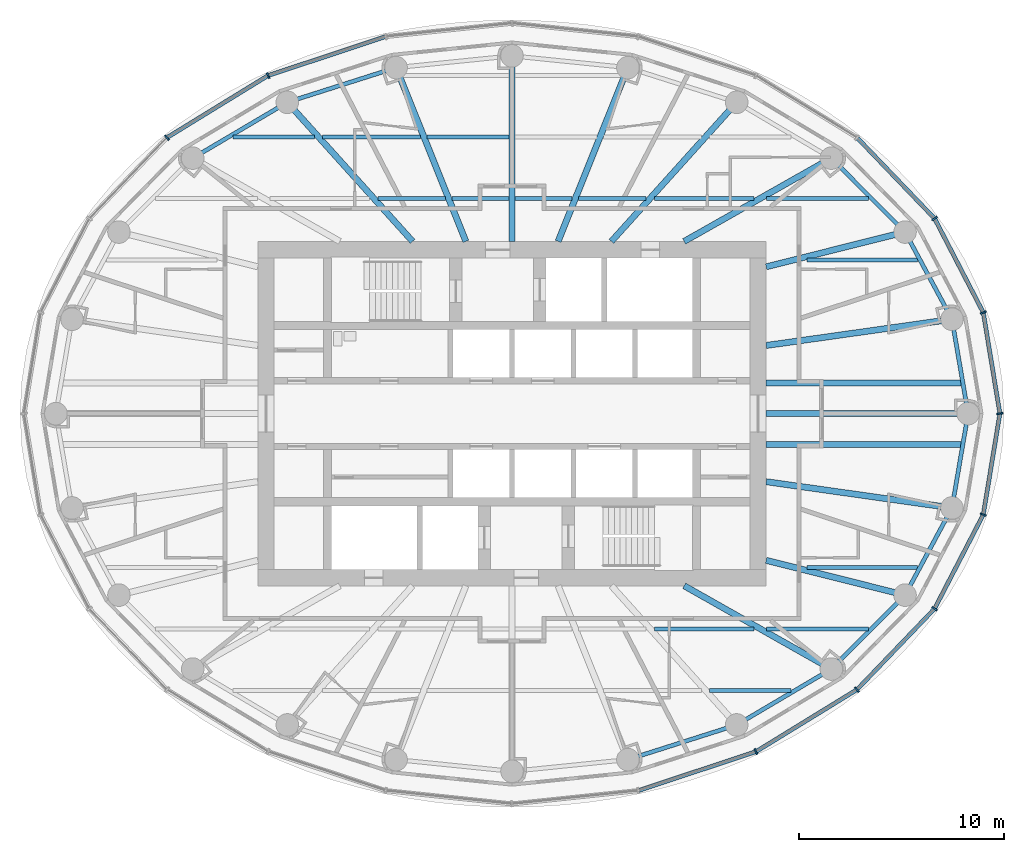
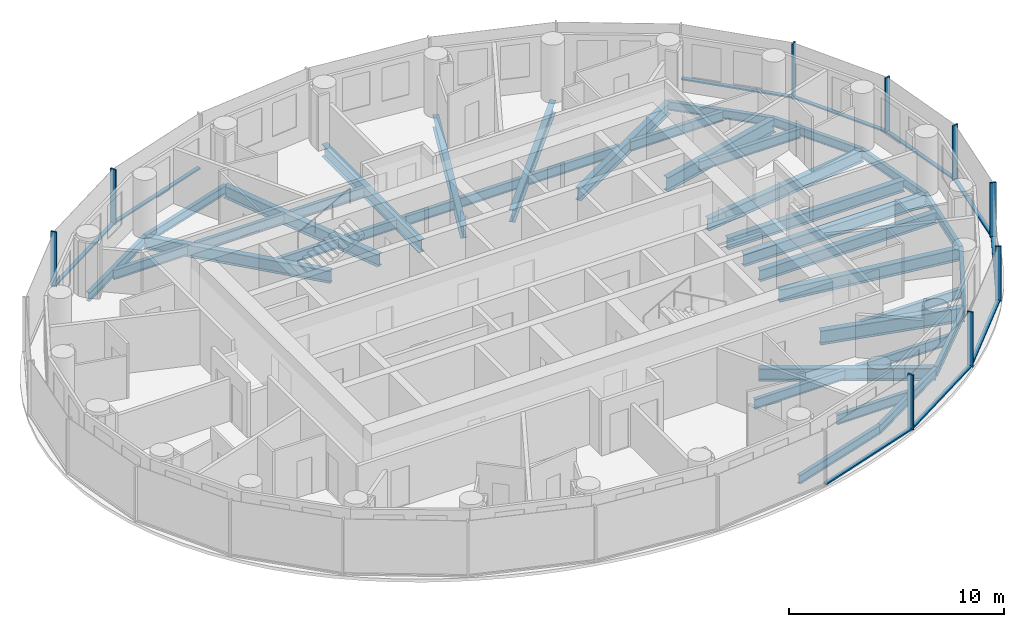
# One storey, part 3 of 16: 38 beams, 19 members, 3 elements without a shape of their own.
"""IFC4 building model written with IfcOpenShell, lengths in metres."""

from ifc_helpers import new_model, si_unit, direction, frame, origin, origin_2d, place, context, subcontext, project, spatial, rectangle, i_section, extrude, material, material_profile, profile_set, type_object, element, aggregate, save


model = new_model("IFC4")

# Units and contexts
model_context = context("Model", 3, precision=1e-05, world=origin(), true_north=direction((0.0, 1.0)))
body_context = subcontext(model_context, "Body", "Model", "MODEL_VIEW")
ifc_project = project(units=[si_unit("LENGTHUNIT", "METRE"), si_unit("AREAUNIT", "SQUARE_METRE"), si_unit("VOLUMEUNIT", "CUBIC_METRE"), si_unit("PLANEANGLEUNIT", "RADIAN"), si_unit("MASSUNIT", "GRAM", prefix="KILO")], contexts=[model_context])

# Site, building, storey
site_placement = place(None, origin())
site = spatial("IfcSite", under=ifc_project, at=site_placement, CompositionType="ELEMENT")
building_placement = place(site_placement, origin())
building = spatial("IfcBuilding", under=site, at=building_placement, Name="Hankou Lantern Tower", CompositionType="ELEMENT")
storey_placement = place(building_placement, frame((0.0, 0.0, 150.0)))
storey = spatial("IfcBuildingStorey", under=building, at=storey_placement, Name="L39", CompositionType="ELEMENT", Elevation=150.0)

# Beams
ifc_material_1 = material(Name="Steel Q355B", Category="steel")
ifc_material_profile_1 = material_profile(ifc_material_1, i_section(OverallWidth=0.199951171875, OverallDepth=0.5, WebThickness=0.010009765625, FlangeThickness=0.01611328125, FilletRadius=0.012939453125, at=origin_2d()), Name="HN500x200x10x16")
ifc_profile_set_1 = profile_set([ifc_material_profile_1], Name="Steel Q355B")
beam_type_1 = type_object("IfcBeamType", Name="EB5 RING BEAM HN500x200x10x16", PredefinedType="SPANDREL", material=ifc_profile_set_1)
beam_1_placement = place(storey_placement, frame((22.25, 0.0, -0.429931640625), z_axis=(-0.168680718946, 0.985670743735, 0.0), x_axis=(-0.985670743735, -0.168680718946, 0.0)))
element("IfcBeam", 1, at=beam_1_placement, inside=storey, type_object=beam_type_1, Name="Ring beam R01-R02 L39", PredefinedType="SPANDREL", context=body_context, shape_type="SweptSolid", body=[
    extrude(i_section(OverallWidth=0.199951171875, OverallDepth=0.5, WebThickness=0.010009765625, FlangeThickness=0.01611328125, FilletRadius=0.012939453125, at=origin_2d()), origin(), (0.0, 0.0, 1.0), 4.667724609375),
])
beam_2_placement = place(storey_placement, frame((21.462646484375, 4.600830078125, -0.429931640625), z_axis=(-0.474051612334, 0.880497057828, 0.0), x_axis=(-0.880497057828, -0.474051612334, 0.0)))
element("IfcBeam", 2, at=beam_2_placement, inside=storey, type_object=beam_type_1, Name="Ring beam R02-R03 L39", PredefinedType="SPANDREL", context=body_context, shape_type="SweptSolid", body=[
    extrude(i_section(OverallWidth=0.199951171875, OverallDepth=0.5, WebThickness=0.010009765625, FlangeThickness=0.01611328125, FilletRadius=0.012939453125, at=origin_2d()), origin(), (0.0, 0.0, 1.0), 4.831787109375),
])
beam_3_placement = place(storey_placement, frame((19.172119140625, 8.855224609375, -0.429931640625), z_axis=(-0.706147278092, 0.708064984054, 0.0), x_axis=(-0.708064984054, -0.706147278092, 0.0)))
element("IfcBeam", 3, at=beam_3_placement, inside=storey, type_object=beam_type_1, Name="Ring beam R03-R04 L39", PredefinedType="SPANDREL", context=body_context, shape_type="SweptSolid", body=[
    extrude(i_section(OverallWidth=0.199951171875, OverallDepth=0.5, WebThickness=0.010009765625, FlangeThickness=0.01611328125, FilletRadius=0.012939453125, at=origin_2d()), origin(), (0.0, 0.0, 1.0), 5.09228515625),
])
beam_4_placement = place(storey_placement, frame((-5.65283203125, 16.87744140625, -0.429931640625), z_axis=(-0.952790404271, -0.30362879562, 0.0), x_axis=(0.30362879562, -0.952790404271, 0.0)))
element("IfcBeam", 4, at=beam_4_placement, inside=storey, type_object=beam_type_1, Name="Ring beam R08-R09 L39", PredefinedType="SPANDREL", context=body_context, shape_type="SweptSolid", body=[
    extrude(i_section(OverallWidth=0.199951171875, OverallDepth=0.5, WebThickness=0.010009765625, FlangeThickness=0.01611328125, FilletRadius=0.012939453125, at=origin_2d()), origin(), (0.0, 0.0, 1.0), 5.56982421875),
])
beam_5_placement = place(storey_placement, frame((-10.959716796875, 15.186279296875, -0.429931640625), z_axis=(-0.861135888339, -0.508374843806, 0.0), x_axis=(0.508374843806, -0.861135888339, 0.0)))
element("IfcBeam", 5, at=beam_5_placement, inside=storey, type_object=beam_type_1, Name="Ring beam R09-R10 L39", PredefinedType="SPANDREL", context=body_context, shape_type="SweptSolid", body=[
    extrude(i_section(OverallWidth=0.199951171875, OverallDepth=0.5, WebThickness=0.010009765625, FlangeThickness=0.01611328125, FilletRadius=0.012939453125, at=origin_2d()), origin(), (0.0, 0.0, 1.0), 5.36083984375),
])
beam_6_placement = place(storey_placement, frame((5.65283203125, -16.87744140625, -0.429931640625), z_axis=(0.952790404271, 0.30362879562, 0.0), x_axis=(-0.30362879562, 0.952790404271, 0.0)))
element("IfcBeam", 6, at=beam_6_placement, inside=storey, type_object=beam_type_1, Name="Ring beam R20-R21 L39", PredefinedType="SPANDREL", context=body_context, shape_type="SweptSolid", body=[
    extrude(i_section(OverallWidth=0.199951171875, OverallDepth=0.5, WebThickness=0.010009765625, FlangeThickness=0.01611328125, FilletRadius=0.012939453125, at=origin_2d()), origin(), (0.0, 0.0, 1.0), 5.56982421875),
])
beam_7_placement = place(storey_placement, frame((10.959716796875, -15.186279296875, -0.429931640625), z_axis=(0.861135888339, 0.508374843806, 0.0), x_axis=(-0.508374843806, 0.861135888339, 0.0)))
element("IfcBeam", 7, at=beam_7_placement, inside=storey, type_object=beam_type_1, Name="Ring beam R21-R22 L39", PredefinedType="SPANDREL", context=body_context, shape_type="SweptSolid", body=[
    extrude(i_section(OverallWidth=0.199951171875, OverallDepth=0.5, WebThickness=0.010009765625, FlangeThickness=0.01611328125, FilletRadius=0.012939453125, at=origin_2d()), origin(), (0.0, 0.0, 1.0), 5.36083984375),
])
beam_8_placement = place(storey_placement, frame((15.576171875, -12.4609375, -0.429931640625), z_axis=(0.706147278092, 0.708064984054, 0.0), x_axis=(-0.708064984054, 0.706147278092, 0.0)))
element("IfcBeam", 8, at=beam_8_placement, inside=storey, type_object=beam_type_1, Name="Ring beam R22-R23 L39", PredefinedType="SPANDREL", context=body_context, shape_type="SweptSolid", body=[
    extrude(i_section(OverallWidth=0.199951171875, OverallDepth=0.5, WebThickness=0.010009765625, FlangeThickness=0.01611328125, FilletRadius=0.012939453125, at=origin_2d()), origin(), (0.0, 0.0, 1.0), 5.09228515625),
])
beam_9_placement = place(storey_placement, frame((19.172119140625, -8.855224609375, -0.429931640625), z_axis=(0.474051612334, 0.880497057828, 0.0), x_axis=(-0.880497057828, 0.474051612334, 0.0)))
element("IfcBeam", 9, at=beam_9_placement, inside=storey, type_object=beam_type_1, Name="Ring beam R23-R24 L39", PredefinedType="SPANDREL", context=body_context, shape_type="SweptSolid", body=[
    extrude(i_section(OverallWidth=0.199951171875, OverallDepth=0.5, WebThickness=0.010009765625, FlangeThickness=0.01611328125, FilletRadius=0.012939453125, at=origin_2d()), origin(), (0.0, 0.0, 1.0), 4.831787109375),
])
beam_10_placement = place(storey_placement, frame((21.462646484375, -4.600830078125, -0.429931640625), z_axis=(0.168680718946, 0.985670743735, 0.0), x_axis=(-0.985670743735, 0.168680718946, 0.0)))
element("IfcBeam", 10, at=beam_10_placement, inside=storey, type_object=beam_type_1, Name="Ring beam R24-R01 L39", PredefinedType="SPANDREL", context=body_context, shape_type="SweptSolid", body=[
    extrude(i_section(OverallWidth=0.199951171875, OverallDepth=0.5, WebThickness=0.010009765625, FlangeThickness=0.01611328125, FilletRadius=0.012939453125, at=origin_2d()), origin(), (0.0, 0.0, 1.0), 4.667724609375),
])

# Curtain wall, members
ifc_material_2 = material(Name="Glass, dark grey tinted laminated", Category="glass")
curtain_wall_type = type_object("IfcCurtainWallType", Name="CWC OUTER SKIN HIGH-RISE", PredefinedType="USERDEFINED", material=ifc_material_2)
curtain_wall_1_placement = place(storey_placement, origin())
curtain_wall_1 = element("IfcCurtainWall", 11, at=curtain_wall_1_placement, inside=storey, type_object=curtain_wall_type, Name="CWC L39 OS1", ObjectType="OUTER SKIN HIGH-RISE", PredefinedType="USERDEFINED")
ifc_material_3 = material(Name="Aluminium, black anodised", Category="aluminium")
ifc_material_profile_2 = material_profile(ifc_material_3, rectangle(XDim=0.080078125, YDim=0.300048828125, at=origin_2d()), Name="MU1 80X300")
ifc_profile_set_2 = profile_set([ifc_material_profile_2], Name="Aluminium, black anodised")
member_type_1 = type_object("IfcMemberType", Name="MU1 OUTER SKIN MULLION 80X300", PredefinedType="MULLION", material=ifc_profile_set_2)
member_1_placement = place(storey_placement, frame((23.800048828125, 0.0, 0.0), z_axis=(0.0, 0.0, 1.0), x_axis=(-0.162381515188, 0.986728049427, 0.0)))
member_1 = element("IfcMember", 12, at=member_1_placement, type_object=member_type_1, Name="CWC mullion 1", PredefinedType="MULLION", context=body_context, shape_type="SweptSolid", body=[
    extrude(rectangle(XDim=0.080078125, YDim=0.300048828125, at=origin_2d()), origin(), (0.0, 0.0, 1.0), 3.1201171875),
])
member_2_placement = place(storey_placement, frame((22.989013671875, 4.927978515625, 0.0), z_axis=(0.0, 0.0, 1.0), x_axis=(-0.317595577365, 0.94822626479, 0.0)))
member_2 = element("IfcMember", 13, at=member_2_placement, type_object=member_type_1, Name="CWC mullion 2", PredefinedType="MULLION", context=body_context, shape_type="SweptSolid", body=[
    extrude(rectangle(XDim=0.080078125, YDim=0.300048828125, at=origin_2d()), origin(), (0.0, 0.0, 1.0), 3.1201171875),
])
member_3_placement = place(storey_placement, frame((20.611328125, 9.52001953125, 0.0), z_axis=(0.0, 0.0, 1.0), x_axis=(-0.585205735974, 0.810884854084, 0.0)))
member_3 = element("IfcMember", 14, at=member_3_placement, type_object=member_type_1, Name="CWC mullion 3", PredefinedType="MULLION", context=body_context, shape_type="SweptSolid", body=[
    extrude(rectangle(XDim=0.080078125, YDim=0.300048828125, at=origin_2d()), origin(), (0.0, 0.0, 1.0), 3.1201171875),
])

curtain_wall_2_placement = place(storey_placement, origin())
curtain_wall_2 = element("IfcCurtainWall", 15, at=curtain_wall_2_placement, inside=storey, type_object=curtain_wall_type, Name="CWC L39 OS2", ObjectType="OUTER SKIN HIGH-RISE", PredefinedType="USERDEFINED")
member_4_placement = place(storey_placement, frame((-11.89990234375, 16.489013671875, 0.0), z_axis=(0.0, 0.0, 1.0), x_axis=(-0.907841299004, -0.419313934686, 0.0)))
member_4 = element("IfcMember", 16, at=member_4_placement, type_object=member_type_1, Name="CWC mullion 3", PredefinedType="MULLION", context=body_context, shape_type="SweptSolid", body=[
    extrude(rectangle(XDim=0.080078125, YDim=0.300048828125, at=origin_2d()), origin(), (0.0, 0.0, 1.0), 3.1201171875),
])
member_5_placement = place(storey_placement, frame((-16.8291015625, 13.46337890625, 0.0), z_axis=(0.0, 0.0, 1.0), x_axis=(-0.780868809444, -0.624695047553, 0.0)))
member_5 = element("IfcMember", 17, at=member_5_placement, type_object=member_type_1, Name="CWC mullion 4", PredefinedType="MULLION", context=body_context, shape_type="SweptSolid", body=[
    extrude(rectangle(XDim=0.080078125, YDim=0.300048828125, at=origin_2d()), origin(), (0.0, 0.0, 1.0), 3.1201171875),
])

curtain_wall_3_placement = place(storey_placement, origin())
curtain_wall_3 = element("IfcCurtainWall", 18, at=curtain_wall_3_placement, inside=storey, type_object=curtain_wall_type, Name="CWC L39 OS4", ObjectType="OUTER SKIN HIGH-RISE", PredefinedType="USERDEFINED")
member_6_placement = place(storey_placement, frame((11.89990234375, -16.489013671875, 0.0), z_axis=(0.0, 0.0, 1.0), x_axis=(0.907841299004, 0.419313934686, 0.0)))
member_6 = element("IfcMember", 19, at=member_6_placement, type_object=member_type_1, Name="CWC mullion 3", PredefinedType="MULLION", context=body_context, shape_type="SweptSolid", body=[
    extrude(rectangle(XDim=0.080078125, YDim=0.300048828125, at=origin_2d()), origin(), (0.0, 0.0, 1.0), 3.1201171875),
])
member_7_placement = place(storey_placement, frame((16.8291015625, -13.46337890625, 0.0), z_axis=(0.0, 0.0, 1.0), x_axis=(0.780868809444, 0.624695047553, 0.0)))
member_7 = element("IfcMember", 20, at=member_7_placement, type_object=member_type_1, Name="CWC mullion 4", PredefinedType="MULLION", context=body_context, shape_type="SweptSolid", body=[
    extrude(rectangle(XDim=0.080078125, YDim=0.300048828125, at=origin_2d()), origin(), (0.0, 0.0, 1.0), 3.1201171875),
])
member_8_placement = place(storey_placement, frame((20.611328125, -9.52001953125, 0.0), z_axis=(0.0, 0.0, 1.0), x_axis=(0.585205735974, 0.810884854084, 0.0)))
member_8 = element("IfcMember", 21, at=member_8_placement, type_object=member_type_1, Name="CWC mullion 5", PredefinedType="MULLION", context=body_context, shape_type="SweptSolid", body=[
    extrude(rectangle(XDim=0.080078125, YDim=0.300048828125, at=origin_2d()), origin(), (0.0, 0.0, 1.0), 3.1201171875),
])
member_9_placement = place(storey_placement, frame((22.989013671875, -4.927978515625, 0.0), z_axis=(0.0, 0.0, 1.0), x_axis=(0.317595577365, 0.94822626479, 0.0)))
member_9 = element("IfcMember", 22, at=member_9_placement, type_object=member_type_1, Name="CWC mullion 6", PredefinedType="MULLION", context=body_context, shape_type="SweptSolid", body=[
    extrude(rectangle(XDim=0.080078125, YDim=0.300048828125, at=origin_2d()), origin(), (0.0, 0.0, 1.0), 3.1201171875),
])

# Beams
ifc_material_4 = material(Name="Steel Q355B", Category="steel")
ifc_material_profile_3 = material_profile(ifc_material_4, i_section(OverallWidth=0.300048828125, OverallDepth=0.800048828125, WebThickness=0.013916015625, FlangeThickness=0.02587890625, FilletRadius=0.01806640625, at=origin_2d()), Name="HN800x300x14x26")
ifc_profile_set_3 = profile_set([ifc_material_profile_3], Name="Steel Q355B")
beam_type_2 = type_object("IfcBeamType", Name="RB11 RADIAL BEAM HN800x300x14x26", PredefinedType="BEAM", material=ifc_profile_set_3)
for number, where, z_axis, x_axis, name in (
    (23, (12.39990234375, 7.1591796875, -0.580078125), (0.970041619568, 0.242938791274, 0.0), (-0.242938791274, 0.970041619568, 0.0), "Radial beam R03 L39"),
    (24, (12.39990234375, -7.1591796875, -0.580078125), (0.970041619568, -0.242938791274, 0.0), (0.242938791274, 0.970041619568, 0.0), "Radial beam R23 L39"),
):
    element("IfcBeam", number, at=place(storey_placement, frame(where, z_axis=z_axis, x_axis=x_axis)), inside=storey, type_object=beam_type_2, Name=name, PredefinedType="BEAM", context=body_context, shape_type="SweptSolid", body=[
        extrude(i_section(OverallWidth=0.300048828125, OverallDepth=0.800048828125, WebThickness=0.013916015625, FlangeThickness=0.02587890625, FilletRadius=0.01806640625, at=origin_2d()), origin(), (0.0, 0.0, 1.0), 6.9814453125),
    ])
ifc_material_5 = material(Name="Steel Q355B", Category="steel")
ifc_material_profile_4 = material_profile(ifc_material_5, i_section(OverallWidth=0.300048828125, OverallDepth=0.699951171875, WebThickness=0.012939453125, FlangeThickness=0.02392578125, FilletRadius=0.01806640625, at=origin_2d()), Name="HN700x300x13x24")
ifc_profile_set_4 = profile_set([ifc_material_profile_4], Name="Steel Q355B")
beam_type_3 = type_object("IfcBeamType", Name="RB9 RADIAL BEAM HN700x300x13x24", PredefinedType="BEAM", material=ifc_profile_set_4)
beam_11_placement = place(storey_placement, frame((12.39990234375, 0.0, -0.530029296875), z_axis=(1.0, 0.0, 0.0), x_axis=(0.0, 1.0, 0.0)))
element("IfcBeam", 25, at=beam_11_placement, inside=storey, type_object=beam_type_3, Name="Radial beam R01 L39", PredefinedType="BEAM", context=body_context, shape_type="SweptSolid", body=[
    extrude(i_section(OverallWidth=0.300048828125, OverallDepth=0.699951171875, WebThickness=0.012939453125, FlangeThickness=0.02392578125, FilletRadius=0.01806640625, at=origin_2d()), origin(), (0.0, 0.0, 1.0), 9.85009765625),
])
beam_12_placement = place(storey_placement, frame((12.39990234375, 3.322509765625, -0.530029296875), z_axis=(0.990198154617, 0.13966966239, 0.0), x_axis=(-0.13966966239, 0.990198154617, 0.0)))
element("IfcBeam", 26, at=beam_12_placement, inside=storey, type_object=beam_type_3, Name="Radial beam R02 L39", PredefinedType="BEAM", context=body_context, shape_type="SweptSolid", body=[
    extrude(i_section(OverallWidth=0.300048828125, OverallDepth=0.699951171875, WebThickness=0.012939453125, FlangeThickness=0.02392578125, FilletRadius=0.01806640625, at=origin_2d()), origin(), (0.0, 0.0, 1.0), 9.15234375),
])
beam_13_placement = place(storey_placement, frame((8.39990234375, 8.39990234375, -0.530029296875), z_axis=(0.870309058024, 0.492505983234, 0.0), x_axis=(-0.492505983234, 0.870309058024, 0.0)))
element("IfcBeam", 27, at=beam_13_placement, inside=storey, type_object=beam_type_3, Name="Radial beam R04 L39", PredefinedType="BEAM", context=body_context, shape_type="SweptSolid", body=[
    extrude(i_section(OverallWidth=0.300048828125, OverallDepth=0.699951171875, WebThickness=0.012939453125, FlangeThickness=0.02392578125, FilletRadius=0.01806640625, at=origin_2d()), origin(), (0.0, 0.0, 1.0), 8.24560546875),
])
beam_14_placement = place(storey_placement, frame((4.849853515625, 8.39990234375, -0.530029296875), z_axis=(0.669093231314, 0.743178476418, 0.0), x_axis=(-0.743178476418, 0.669093231314, 0.0)))
element("IfcBeam", 28, at=beam_14_placement, inside=storey, type_object=beam_type_3, Name="Radial beam R05 L39", PredefinedType="BEAM", context=body_context, shape_type="SweptSolid", body=[
    extrude(i_section(OverallWidth=0.300048828125, OverallDepth=0.699951171875, WebThickness=0.012939453125, FlangeThickness=0.02392578125, FilletRadius=0.01806640625, at=origin_2d()), origin(), (0.0, 0.0, 1.0), 9.131591796875),
])
beam_15_placement = place(storey_placement, frame((2.250732421875, 8.39990234375, -0.530029296875), z_axis=(0.372436468133, 0.928057690666, 0.0), x_axis=(-0.928057690666, 0.372436468133, 0.0)))
element("IfcBeam", 29, at=beam_15_placement, inside=storey, type_object=beam_type_3, Name="Radial beam R06 L39", PredefinedType="BEAM", context=body_context, shape_type="SweptSolid", body=[
    extrude(i_section(OverallWidth=0.300048828125, OverallDepth=0.699951171875, WebThickness=0.012939453125, FlangeThickness=0.02392578125, FilletRadius=0.01806640625, at=origin_2d()), origin(), (0.0, 0.0, 1.0), 9.134765625),
])
beam_16_placement = place(storey_placement, frame((0.0, 8.39990234375, -0.530029296875), z_axis=(0.0, 1.0, 0.0), x_axis=(-1.0, 0.0, 0.0)))
element("IfcBeam", 30, at=beam_16_placement, inside=storey, type_object=beam_type_3, Name="Radial beam R07 L39", PredefinedType="BEAM", context=body_context, shape_type="SweptSolid", body=[
    extrude(i_section(OverallWidth=0.300048828125, OverallDepth=0.699951171875, WebThickness=0.012939453125, FlangeThickness=0.02392578125, FilletRadius=0.01806640625, at=origin_2d()), origin(), (0.0, 0.0, 1.0), 9.050048828125),
])
beam_17_placement = place(storey_placement, frame((-2.250732421875, 8.39990234375, -0.530029296875), z_axis=(-0.372436468133, 0.928057690666, 0.0), x_axis=(-0.928057690666, -0.372436468133, 0.0)))
element("IfcBeam", 31, at=beam_17_placement, inside=storey, type_object=beam_type_3, Name="Radial beam R08 L39", PredefinedType="BEAM", context=body_context, shape_type="SweptSolid", body=[
    extrude(i_section(OverallWidth=0.300048828125, OverallDepth=0.699951171875, WebThickness=0.012939453125, FlangeThickness=0.02392578125, FilletRadius=0.01806640625, at=origin_2d()), origin(), (0.0, 0.0, 1.0), 9.134765625),
])
beam_18_placement = place(storey_placement, frame((-4.849853515625, 8.39990234375, -0.530029296875), z_axis=(-0.669093231314, 0.743178476418, 0.0), x_axis=(-0.743178476418, -0.669093231314, 0.0)))
element("IfcBeam", 32, at=beam_18_placement, inside=storey, type_object=beam_type_3, Name="Radial beam R09 L39", PredefinedType="BEAM", context=body_context, shape_type="SweptSolid", body=[
    extrude(i_section(OverallWidth=0.300048828125, OverallDepth=0.699951171875, WebThickness=0.012939453125, FlangeThickness=0.02392578125, FilletRadius=0.01806640625, at=origin_2d()), origin(), (0.0, 0.0, 1.0), 9.131591796875),
])
beam_19_placement = place(storey_placement, frame((8.39990234375, -8.39990234375, -0.530029296875), z_axis=(0.870309058024, -0.492505983234, 0.0), x_axis=(0.492505983234, 0.870309058024, 0.0)))
element("IfcBeam", 33, at=beam_19_placement, inside=storey, type_object=beam_type_3, Name="Radial beam R22 L39", PredefinedType="BEAM", context=body_context, shape_type="SweptSolid", body=[
    extrude(i_section(OverallWidth=0.300048828125, OverallDepth=0.699951171875, WebThickness=0.012939453125, FlangeThickness=0.02392578125, FilletRadius=0.01806640625, at=origin_2d()), origin(), (0.0, 0.0, 1.0), 8.24560546875),
])
beam_20_placement = place(storey_placement, frame((12.39990234375, -3.322509765625, -0.530029296875), z_axis=(0.990198154617, -0.13966966239, 0.0), x_axis=(0.13966966239, 0.990198154617, 0.0)))
element("IfcBeam", 34, at=beam_20_placement, inside=storey, type_object=beam_type_3, Name="Radial beam R24 L39", PredefinedType="BEAM", context=body_context, shape_type="SweptSolid", body=[
    extrude(i_section(OverallWidth=0.300048828125, OverallDepth=0.699951171875, WebThickness=0.012939453125, FlangeThickness=0.02392578125, FilletRadius=0.01806640625, at=origin_2d()), origin(), (0.0, 0.0, 1.0), 9.15234375),
])
ifc_material_6 = material(Name="Steel Q355B", Category="steel")
ifc_material_profile_5 = material_profile(ifc_material_6, i_section(OverallWidth=0.199951171875, OverallDepth=0.550048828125, WebThickness=0.010009765625, FlangeThickness=0.01611328125, FilletRadius=0.012939453125, at=origin_2d()), Name="HN550x200x10x16")
ifc_profile_set_5 = profile_set([ifc_material_profile_5], Name="Steel Q355B")
beam_type_4 = type_object("IfcBeamType", Name="SB6 SECONDARY BEAM HN550x200x10x16", PredefinedType="JOIST", material=ifc_profile_set_5)
beam_21_placement = place(storey_placement, frame((9.643310546875, -13.5, -0.455078125), z_axis=(1.0, 0.0, 0.0), x_axis=(0.0, 1.0, 0.0)))
element("IfcBeam", 35, at=beam_21_placement, inside=storey, type_object=beam_type_4, Name="Floor joist J006 L39", PredefinedType="JOIST", context=body_context, shape_type="SweptSolid", body=[
    extrude(i_section(OverallWidth=0.199951171875, OverallDepth=0.550048828125, WebThickness=0.010009765625, FlangeThickness=0.01611328125, FilletRadius=0.012939453125, at=origin_2d()), origin(), (0.0, 0.0, 1.0), 3.97607421875),
])
beam_22_placement = place(storey_placement, frame((6.9423828125, -10.5, -0.455078125), z_axis=(1.0, 0.0, 0.0), x_axis=(0.0, 1.0, 0.0)))
element("IfcBeam", 36, at=beam_22_placement, inside=storey, type_object=beam_type_4, Name="Floor joist J013 L39", PredefinedType="JOIST", context=body_context, shape_type="SweptSolid", body=[
    extrude(i_section(OverallWidth=0.199951171875, OverallDepth=0.550048828125, WebThickness=0.010009765625, FlangeThickness=0.01611328125, FilletRadius=0.012939453125, at=origin_2d()), origin(), (0.0, 0.0, 1.0), 4.864013671875),
])
beam_23_placement = place(storey_placement, frame((12.41552734375, -10.5, -0.455078125), z_axis=(1.0, 0.0, 0.0), x_axis=(0.0, 1.0, 0.0)))
element("IfcBeam", 37, at=beam_23_placement, inside=storey, type_object=beam_type_4, Name="Floor joist J014 L39", PredefinedType="JOIST", context=body_context, shape_type="SweptSolid", body=[
    extrude(i_section(OverallWidth=0.199951171875, OverallDepth=0.550048828125, WebThickness=0.010009765625, FlangeThickness=0.01611328125, FilletRadius=0.012939453125, at=origin_2d()), origin(), (0.0, 0.0, 1.0), 4.97509765625),
])
for number, where, z_axis, x_axis, name in (
    (38, (14.37841796875, -7.5, -0.455078125), (1.0, 0.0, 0.0), (0.0, 1.0, 0.0), "Floor joist J016 L39"),
    (39, (14.37841796875, 7.5, -0.455078125), (1.0, 0.0, 0.0), (0.0, 1.0, 0.0), "Floor joist J026 L39"),
):
    element("IfcBeam", number, at=place(storey_placement, frame(where, z_axis=z_axis, x_axis=x_axis)), inside=storey, type_object=beam_type_4, Name=name, PredefinedType="JOIST", context=body_context, shape_type="SweptSolid", body=[
        extrude(i_section(OverallWidth=0.199951171875, OverallDepth=0.550048828125, WebThickness=0.010009765625, FlangeThickness=0.01611328125, FilletRadius=0.012939453125, at=origin_2d()), origin(), (0.0, 0.0, 1.0), 5.409912109375),
    ])
beam_24_placement = place(storey_placement, frame((-6.53857421875, 10.5, -0.455078125), z_axis=(1.0, 0.0, 0.0), x_axis=(0.0, 1.0, 0.0)))
element("IfcBeam", 40, at=beam_24_placement, inside=storey, type_object=beam_type_4, Name="Floor joist J029 L39", PredefinedType="JOIST", context=body_context, shape_type="SweptSolid", body=[
    extrude(i_section(OverallWidth=0.199951171875, OverallDepth=0.550048828125, WebThickness=0.010009765625, FlangeThickness=0.01611328125, FilletRadius=0.012939453125, at=origin_2d()), origin(), (0.0, 0.0, 1.0), 3.283447265625),
])
for number, where, z_axis, x_axis, name in (
    (41, (-2.931884765625, 10.5, -0.455078125), (1.0, 0.0, 0.0), (0.0, 1.0, 0.0), "Floor joist J030 L39"),
    (42, (0.14990234375, 10.5, -0.455078125), (1.0, 0.0, 0.0), (0.0, 1.0, 0.0), "Floor joist J031 L39"),
):
    element("IfcBeam", number, at=place(storey_placement, frame(where, z_axis=z_axis, x_axis=x_axis)), inside=storey, type_object=beam_type_4, Name=name, PredefinedType="JOIST", context=body_context, shape_type="SweptSolid", body=[
        extrude(i_section(OverallWidth=0.199951171875, OverallDepth=0.550048828125, WebThickness=0.010009765625, FlangeThickness=0.01611328125, FilletRadius=0.012939453125, at=origin_2d()), origin(), (0.0, 0.0, 1.0), 2.781982421875),
    ])
beam_25_placement = place(storey_placement, frame((3.255126953125, 10.5, -0.455078125), z_axis=(1.0, 0.0, 0.0), x_axis=(0.0, 1.0, 0.0)))
element("IfcBeam", 43, at=beam_25_placement, inside=storey, type_object=beam_type_4, Name="Floor joist J032 L39", PredefinedType="JOIST", context=body_context, shape_type="SweptSolid", body=[
    extrude(i_section(OverallWidth=0.199951171875, OverallDepth=0.550048828125, WebThickness=0.010009765625, FlangeThickness=0.01611328125, FilletRadius=0.012939453125, at=origin_2d()), origin(), (0.0, 0.0, 1.0), 3.283447265625),
])
beam_26_placement = place(storey_placement, frame((6.9423828125, 10.5, -0.455078125), z_axis=(1.0, 0.0, 0.0), x_axis=(0.0, 1.0, 0.0)))
element("IfcBeam", 44, at=beam_26_placement, inside=storey, type_object=beam_type_4, Name="Floor joist J033 L39", PredefinedType="JOIST", context=body_context, shape_type="SweptSolid", body=[
    extrude(i_section(OverallWidth=0.199951171875, OverallDepth=0.550048828125, WebThickness=0.010009765625, FlangeThickness=0.01611328125, FilletRadius=0.012939453125, at=origin_2d()), origin(), (0.0, 0.0, 1.0), 4.864013671875),
])
beam_27_placement = place(storey_placement, frame((12.41552734375, 10.5, -0.455078125), z_axis=(1.0, 0.0, 0.0), x_axis=(0.0, 1.0, 0.0)))
element("IfcBeam", 45, at=beam_27_placement, inside=storey, type_object=beam_type_4, Name="Floor joist J034 L39", PredefinedType="JOIST", context=body_context, shape_type="SweptSolid", body=[
    extrude(i_section(OverallWidth=0.199951171875, OverallDepth=0.550048828125, WebThickness=0.010009765625, FlangeThickness=0.01611328125, FilletRadius=0.012939453125, at=origin_2d()), origin(), (0.0, 0.0, 1.0), 4.97509765625),
])
beam_28_placement = place(storey_placement, frame((-13.619384765625, 13.5, -0.455078125), z_axis=(1.0, 0.0, 0.0), x_axis=(0.0, 1.0, 0.0)))
element("IfcBeam", 46, at=beam_28_placement, inside=storey, type_object=beam_type_4, Name="Floor joist J035 L39", PredefinedType="JOIST", context=body_context, shape_type="SweptSolid", body=[
    extrude(i_section(OverallWidth=0.199951171875, OverallDepth=0.550048828125, WebThickness=0.010009765625, FlangeThickness=0.01611328125, FilletRadius=0.012939453125, at=origin_2d()), origin(), (0.0, 0.0, 1.0), 3.97607421875),
])
beam_29_placement = place(storey_placement, frame((-9.23974609375, 13.5, -0.455078125), z_axis=(1.0, 0.0, 0.0), x_axis=(0.0, 1.0, 0.0)))
element("IfcBeam", 47, at=beam_29_placement, inside=storey, type_object=beam_type_4, Name="Floor joist J036 L39", PredefinedType="JOIST", context=body_context, shape_type="SweptSolid", body=[
    extrude(i_section(OverallWidth=0.199951171875, OverallDepth=0.550048828125, WebThickness=0.010009765625, FlangeThickness=0.01611328125, FilletRadius=0.012939453125, at=origin_2d()), origin(), (0.0, 0.0, 1.0), 4.780517578125),
])
beam_30_placement = place(storey_placement, frame((-4.135986328125, 13.5, -0.455078125), z_axis=(1.0, 0.0, 0.0), x_axis=(0.0, 1.0, 0.0)))
element("IfcBeam", 48, at=beam_30_placement, inside=storey, type_object=beam_type_4, Name="Floor joist J037 L39", PredefinedType="JOIST", context=body_context, shape_type="SweptSolid", body=[
    extrude(i_section(OverallWidth=0.199951171875, OverallDepth=0.550048828125, WebThickness=0.010009765625, FlangeThickness=0.01611328125, FilletRadius=0.012939453125, at=origin_2d()), origin(), (0.0, 0.0, 1.0), 3.986083984375),
])
ifc_material_7 = material(Name="Steel Q355B", Category="steel")
ifc_material_profile_6 = material_profile(ifc_material_7, i_section(OverallWidth=0.300048828125, OverallDepth=0.64990234375, WebThickness=0.010986328125, FlangeThickness=0.01708984375, FilletRadius=0.01806640625, at=origin_2d()), Name="HN650x300x11x17")
ifc_profile_set_6 = profile_set([ifc_material_profile_6], Name="Steel Q355B")
beam_type_5 = type_object("IfcBeamType", Name="SB8 SECONDARY BEAM HN650x300x11x17", PredefinedType="JOIST", material=ifc_profile_set_6)
for number, where, z_axis, x_axis, name in (
    (49, (12.39990234375, -1.5, -0.5048828125), (1.0, 0.0, 0.0), (0.0, 1.0, 0.0), "Floor joist J020 L39"),
    (50, (12.39990234375, 1.5, -0.5048828125), (1.0, 0.0, 0.0), (0.0, 1.0, 0.0), "Floor joist J022 L39"),
):
    element("IfcBeam", number, at=place(storey_placement, frame(where, z_axis=z_axis, x_axis=x_axis)), inside=storey, type_object=beam_type_5, Name=name, PredefinedType="JOIST", context=body_context, shape_type="SweptSolid", body=[
        extrude(i_section(OverallWidth=0.300048828125, OverallDepth=0.64990234375, WebThickness=0.010986328125, FlangeThickness=0.01708984375, FilletRadius=0.01806640625, at=origin_2d()), origin(), (0.0, 0.0, 1.0), 9.491943359375),
    ])

# Member
ifc_material_8 = material(Name="Aluminium, black anodised", Category="aluminium")
ifc_material_profile_7 = material_profile(ifc_material_8, rectangle(XDim=0.199951171875, YDim=0.080078125, at=origin_2d()), Name="TR1 200X80")
ifc_profile_set_7 = profile_set([ifc_material_profile_7], Name="Aluminium, black anodised")
member_type_2 = type_object("IfcMemberType", Name="TR1 OUTER SKIN TRANSOM 200X80", PredefinedType="USERDEFINED", material=ifc_profile_set_7)
member_10_placement = place(storey_placement, frame((23.79345703125, 0.03955078125, 0.0400390625), z_axis=(-0.162360337061, 0.986731534385, 0.0), x_axis=(-0.986731534385, -0.162360337061, 0.0)))
member_10 = element("IfcMember", 51, at=member_10_placement, type_object=member_type_2, Name="CWC transom 1", ObjectType="TRANSOM", PredefinedType="USERDEFINED", context=body_context, shape_type="SweptSolid", body=[
    extrude(rectangle(XDim=0.199951171875, YDim=0.080078125, at=origin_2d()), origin(), (0.0, 0.0, 1.0), 4.9140625),
])

member_11_placement = place(storey_placement, frame((22.970703125, 4.96337890625, 0.0400390625), z_axis=(-0.459790772977, 0.888027277219, 0.0), x_axis=(-0.888027277219, -0.459790772977, 0.0)))
member_11 = element("IfcMember", 52, at=member_11_placement, type_object=member_type_2, Name="CWC transom 2", ObjectType="TRANSOM", PredefinedType="USERDEFINED", context=body_context, shape_type="SweptSolid", body=[
    extrude(rectangle(XDim=0.199951171875, YDim=0.080078125, at=origin_2d()), origin(), (0.0, 0.0, 1.0), 5.091064453125),
])

member_12_placement = place(storey_placement, frame((20.583740234375, 9.548828125, 0.0400390625), z_axis=(-0.692215543831, 0.721690820836, 0.0), x_axis=(-0.721690820836, -0.692215543831, 0.0)))
member_12 = element("IfcMember", 53, at=member_12_placement, type_object=member_type_2, Name="CWC transom 3", ObjectType="TRANSOM", PredefinedType="USERDEFINED", context=body_context, shape_type="SweptSolid", body=[
    extrude(rectangle(XDim=0.199951171875, YDim=0.080078125, at=origin_2d()), origin(), (0.0, 0.0, 1.0), 5.3837890625),
])

aggregate(curtain_wall_1, [member_1, member_2, member_3, member_10, member_11, member_12])

member_13_placement = place(storey_placement, frame((-6.19775390625, 18.378662109375, 0.0400390625), z_axis=(-0.949242327551, -0.314545709849, 0.0), x_axis=(0.314545709849, -0.949242327551, 0.0)))
member_13 = element("IfcMember", 54, at=member_13_placement, type_object=member_type_2, Name="CWC transom 2", ObjectType="TRANSOM", PredefinedType="USERDEFINED", context=body_context, shape_type="SweptSolid", body=[
    extrude(rectangle(XDim=0.199951171875, YDim=0.080078125, at=origin_2d()), origin(), (0.0, 0.0, 1.0), 5.96728515625),
])

member_14_placement = place(storey_placement, frame((-11.93408203125, 16.46826171875, 0.0400390625), z_axis=(-0.852229482357, -0.523168146394, 0.0), x_axis=(0.523168146394, -0.852229482357, 0.0)))
member_14 = element("IfcMember", 55, at=member_14_placement, type_object=member_type_2, Name="CWC transom 3", ObjectType="TRANSOM", PredefinedType="USERDEFINED", context=body_context, shape_type="SweptSolid", body=[
    extrude(rectangle(XDim=0.199951171875, YDim=0.080078125, at=origin_2d()), origin(), (0.0, 0.0, 1.0), 5.703857421875),
])

aggregate(curtain_wall_2, [member_4, member_5, member_13, member_14])

member_15_placement = place(storey_placement, frame((6.19775390625, -18.378662109375, 0.0400390625), z_axis=(0.949242327551, 0.314545709849, 0.0), x_axis=(-0.314545709849, 0.949242327551, 0.0)))
member_15 = element("IfcMember", 56, at=member_15_placement, type_object=member_type_2, Name="CWC transom 2", ObjectType="TRANSOM", PredefinedType="USERDEFINED", context=body_context, shape_type="SweptSolid", body=[
    extrude(rectangle(XDim=0.199951171875, YDim=0.080078125, at=origin_2d()), origin(), (0.0, 0.0, 1.0), 5.96728515625),
])

member_16_placement = place(storey_placement, frame((11.93408203125, -16.46826171875, 0.0400390625), z_axis=(0.852229482357, 0.523168146394, 0.0), x_axis=(-0.523168146394, 0.852229482357, 0.0)))
member_16 = element("IfcMember", 57, at=member_16_placement, type_object=member_type_2, Name="CWC transom 3", ObjectType="TRANSOM", PredefinedType="USERDEFINED", context=body_context, shape_type="SweptSolid", body=[
    extrude(rectangle(XDim=0.199951171875, YDim=0.080078125, at=origin_2d()), origin(), (0.0, 0.0, 1.0), 5.703857421875),
])

member_17_placement = place(storey_placement, frame((16.85693359375, -13.434326171875, 0.0400390625), z_axis=(0.692215543831, 0.721690820836, 0.0), x_axis=(-0.721690820836, 0.692215543831, 0.0)))
member_17 = element("IfcMember", 58, at=member_17_placement, type_object=member_type_2, Name="CWC transom 4", ObjectType="TRANSOM", PredefinedType="USERDEFINED", context=body_context, shape_type="SweptSolid", body=[
    extrude(rectangle(XDim=0.199951171875, YDim=0.080078125, at=origin_2d()), origin(), (0.0, 0.0, 1.0), 5.3837890625),
])

member_18_placement = place(storey_placement, frame((20.6298828125, -9.484375, 0.0400390625), z_axis=(0.459790772977, 0.888027277219, 0.0), x_axis=(-0.888027277219, 0.459790772977, 0.0)))
member_18 = element("IfcMember", 59, at=member_18_placement, type_object=member_type_2, Name="CWC transom 5", ObjectType="TRANSOM", PredefinedType="USERDEFINED", context=body_context, shape_type="SweptSolid", body=[
    extrude(rectangle(XDim=0.199951171875, YDim=0.080078125, at=origin_2d()), origin(), (0.0, 0.0, 1.0), 5.091064453125),
])

member_19_placement = place(storey_placement, frame((22.99560546875, -4.888427734375, 0.0400390625), z_axis=(0.162360337061, 0.986731534385, 0.0), x_axis=(-0.986731534385, 0.162360337061, 0.0)))
member_19 = element("IfcMember", 60, at=member_19_placement, type_object=member_type_2, Name="CWC transom 6", ObjectType="TRANSOM", PredefinedType="USERDEFINED", context=body_context, shape_type="SweptSolid", body=[
    extrude(rectangle(XDim=0.199951171875, YDim=0.080078125, at=origin_2d()), origin(), (0.0, 0.0, 1.0), 4.9140625),
])

aggregate(curtain_wall_3, [member_6, member_7, member_8, member_9, member_15, member_16, member_17, member_18, member_19])

save(model, "model.ifc")
